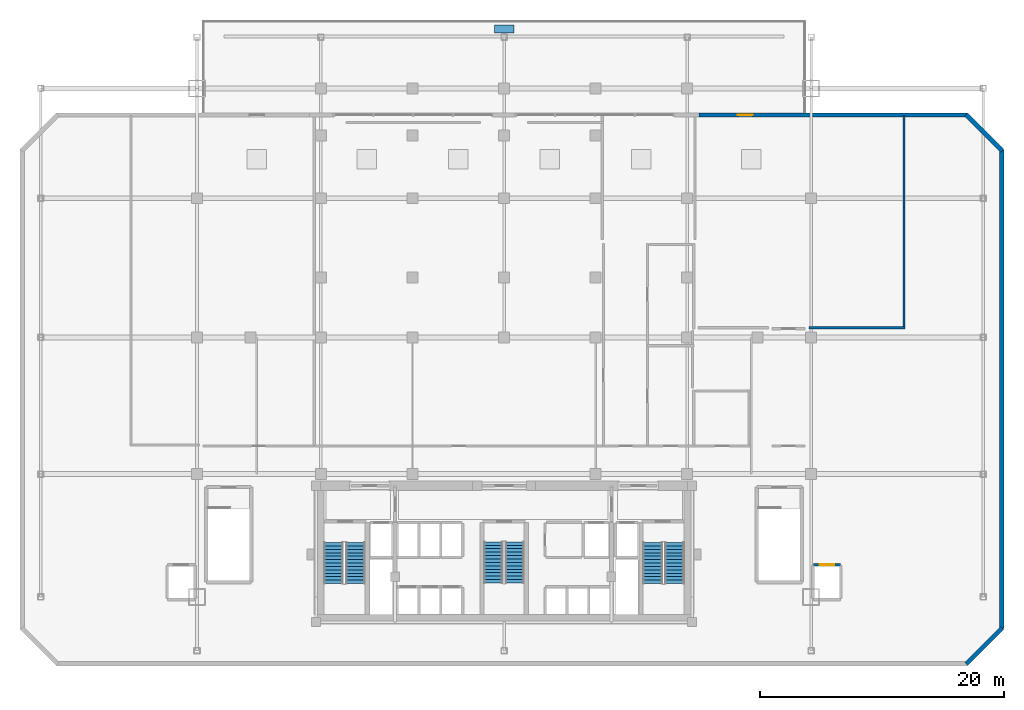
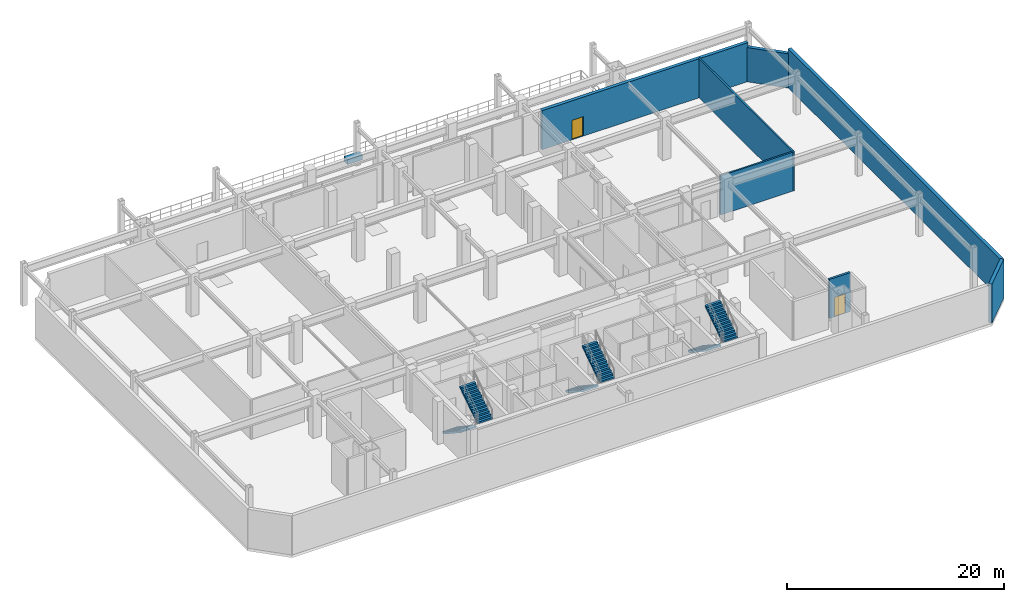
# One storey, part 13 of 15: 7 walls, 6 stair flights, 2 doors, 1 discrete accessory, 2 openings, 3 elements without a shape of their own.
"""IFC4 building model written with IfcOpenShell, lengths in metres."""

from ifc_helpers import new_model, si_unit, direction, frame, frame_2d, origin, origin_2d, place, context, subcontext, project, spatial, polyline, rectangle, outline, extrude, material, layer, layer_set, type_object, element, fill, aggregate, save


model = new_model("IFC4")

# Units and contexts
model_context = context("Model", 3, precision=1e-05, world=origin(), true_north=direction((0.0, 1.0)))
body_context = subcontext(model_context, "Body", "Model", "MODEL_VIEW")
ifc_project = project(units=[si_unit("LENGTHUNIT", "METRE"), si_unit("AREAUNIT", "SQUARE_METRE"), si_unit("VOLUMEUNIT", "CUBIC_METRE"), si_unit("PLANEANGLEUNIT", "RADIAN"), si_unit("MASSUNIT", "GRAM", prefix="KILO")], contexts=[model_context])

# Site, building, storey
site_placement = place(None, origin())
site = spatial("IfcSite", under=ifc_project, at=site_placement, CompositionType="ELEMENT")
building_placement = place(site_placement, origin())
building = spatial("IfcBuilding", under=site, at=building_placement, Name="Ventersveld Concourse Tower", CompositionType="ELEMENT")
storey_placement = place(building_placement, frame((0.0, 0.0, 19.800048828125)))
storey = spatial("IfcBuildingStorey", under=building, at=storey_placement, Name="L04", CompositionType="ELEMENT", Elevation=19.800048828125)

# Walls
ifc_material_1 = material(Name="Fire-rated autoclaved aerated masonry blockwork", Category="masonry")
ifc_layer_1 = layer(ifc_material_1, 0.179931640625)
ifc_layer_set_1 = layer_set([ifc_layer_1], Name="Fire-rated autoclaved aerated masonry blockwork")
wall_type_1 = type_object("IfcWallType", Name="WL-CORR-180", PredefinedType="PARTITIONING", material=ifc_layer_set_1)
wall_1_placement = place(storey_placement, frame((53.7099609375, 24.39990234375, 0.0), z_axis=(0.0, 0.0, 1.0), x_axis=(1.0, 0.0, 0.0)))
element("IfcWall", 1, at=wall_1_placement, inside=storey, type_object=wall_type_1, Name="L04 Room Enclosure Wall SP-L04-CRECHE", PredefinedType="PARTITIONING", context=body_context, shape_type="SweptSolid", body=[
    extrude(rectangle(XDim=7.885009765625, YDim=0.179931640625, at=frame_2d((3.9423828125, 0.0))), origin(), (0.0, 0.0, 1.0), 4.39990234375),
])
wall_2_placement = place(storey_placement, frame((61.5, 24.304931640625, 0.0), z_axis=(0.0, 0.0, 1.0), x_axis=(0.0, 1.0, 0.0)))
element("IfcWall", 2, at=wall_2_placement, inside=storey, type_object=wall_type_1, Name="L04 Room Enclosure Wall SP-L04-CRECHE", PredefinedType="PARTITIONING", context=body_context, shape_type="SweptSolid", body=[
    extrude(rectangle(XDim=17.47998046875, YDim=0.179931640625, at=frame_2d((8.739990234375, 0.0))), origin(), (0.0, 0.0, 1.0), 4.39990234375),
])

# Wall, opening, door
ifc_layer_2 = layer(ifc_material_1, 0.219970703125)
ifc_layer_set_2 = layer_set([ifc_layer_2], Name="Fire-rated autoclaved aerated masonry blockwork")
wall_type_2 = type_object("IfcWallType", Name="WL-HOIST-220", PredefinedType="SOLIDWALL", material=ifc_layer_set_2)
wall_3_placement = place(storey_placement, frame((54.080078125, 4.97998046875, 0.0), z_axis=(0.0, 0.0, 1.0), x_axis=(1.0, 0.0, 0.0)))
wall_3 = element("IfcWall", 3, at=wall_3_placement, inside=storey, type_object=wall_type_2, Name="L04 Lift Hoistway Front Wall SL-02", PredefinedType="SOLIDWALL", context=body_context, shape_type="SweptSolid", body=[
    extrude(rectangle(XDim=2.239990234375, YDim=0.219970703125, at=frame_2d((1.1201171875, 0.0))), origin(), (0.0, 0.0, 1.0), 4.39990234375),
])
opening_1_placement = place(wall_3_placement, frame((0.530029296875, 0.0, 0.0)))
opening_1 = element("IfcOpeningElement", 4, at=opening_1_placement, cuts=wall_3, Name="Opening LD2", PredefinedType="OPENING", context=body_context, shape_type="SweptSolid", body=[
    extrude(rectangle(XDim=1.179931640625, YDim=2.199951171875, at=frame_2d((0.58984375, 1.10009765625))), frame((0.0, 0.1201171875, 0.0), z_axis=(0.0, -1.0, 0.0), x_axis=(1.0, 0.0, 0.0)), (0.0, 0.0, 1.0), 0.239990234375),
])
ifc_material_2 = material(Name="Brushed stainless steel 316", Category="steel")
door_type_1 = type_object("IfcDoorType", Name="LD-PAX-118", OperationType="SLIDING_TO_LEFT", PredefinedType="DOOR", material=ifc_material_2)
door_1_placement = place(opening_1_placement, origin())
door_1 = element("IfcDoor", 5, at=door_1_placement, inside=storey, type_object=door_type_1, Name="L04 Lift landing door SL-02 (LD-L04-SL-02)", OperationType="SLIDING_TO_LEFT", OverallHeight=2.199951171875, OverallWidth=1.179931640625, PredefinedType="DOOR", context=body_context, shape_type="SweptSolid", body=[
    extrude(rectangle(XDim=1.179931640625, YDim=2.199951171875, at=frame_2d((0.58984375, 1.10009765625))), frame((0.0, 0.02490234375, 0.0), z_axis=(0.0, -1.0, 0.0), x_axis=(1.0, 0.0, 0.0)), (0.0, 0.0, 1.0), 0.050048828125),
])
fill(opening_1, door_1)

# Walls
ifc_material_3 = material(Name="Precast concrete C45/55", Category="concrete")
ifc_layer_3 = layer(ifc_material_3, 0.35009765625)
ifc_layer_set_3 = layer_set([ifc_layer_3], Name="Precast concrete C45/55")
wall_type_3 = type_object("IfcWallType", Name="WL-PREC-350", PredefinedType="SOLIDWALL", material=ifc_layer_set_3)
wall_4_placement = place(storey_placement, frame((66.60107421875, -3.144287109375, 0.0), z_axis=(0.0, 0.0, 1.0), x_axis=(0.707106781187, 0.707106781187, 0.0)))
element("IfcWall", 6, at=wall_4_placement, inside=storey, type_object=wall_type_3, Name="L04 Podium Precast Perimeter Wall 02", PredefinedType="SOLIDWALL", context=body_context, shape_type="SweptSolid", body=[
    extrude(rectangle(XDim=4.16259765625, YDim=0.35009765625, at=frame_2d((2.081298828125, 0.0))), origin(), (0.0, 0.0, 1.0), 4.39990234375),
])
wall_5_placement = place(storey_placement, frame((69.52001953125, -0.260009765625, 0.0), z_axis=(0.0, 0.0, 1.0), x_axis=(0.0, 1.0, 0.0)))
element("IfcWall", 7, at=wall_5_placement, inside=storey, type_object=wall_type_3, Name="L04 Podium Precast Perimeter Wall 03", PredefinedType="SOLIDWALL", context=body_context, shape_type="SweptSolid", body=[
    extrude(rectangle(XDim=39.219970703125, YDim=0.35009765625, at=frame_2d((19.60986328125, 0.0))), origin(), (0.0, 0.0, 1.0), 4.39990234375),
])
wall_6_placement = place(storey_placement, frame((69.54443359375, 38.90087890625, 0.0), z_axis=(0.0, 0.0, 1.0), x_axis=(-0.707077455866, 0.70713610529, 0.0)))
element("IfcWall", 8, at=wall_6_placement, inside=storey, type_object=wall_type_3, Name="L04 Podium Precast Perimeter Wall 04", PredefinedType="SOLIDWALL", context=body_context, shape_type="SweptSolid", body=[
    extrude(rectangle(XDim=4.16259765625, YDim=0.35009765625, at=frame_2d((2.081298828125, 0.0))), origin(), (0.0, 0.0, 1.0), 3.866943359375),
])

# Wall, opening, door
wall_7_placement = place(storey_placement, frame((44.699951171875, 41.820068359375, 0.0), z_axis=(0.0, 0.0, 1.0), x_axis=(1.0, 0.0, 0.0)))
wall_7 = element("IfcWall", 9, at=wall_7_placement, inside=storey, type_object=wall_type_3, Name="L04 Amenity North-East Wall", PredefinedType="SOLIDWALL", context=body_context, shape_type="SweptSolid", body=[
    extrude(rectangle(XDim=21.9599609375, YDim=0.35009765625, at=frame_2d((10.97998046875, 0.0))), origin(), (0.0, 0.0, 1.0), 4.39990234375),
])
opening_2_placement = place(wall_7_placement, frame((3.199951171875, 0.0, 0.0)))
opening_2 = element("IfcOpeningElement", 10, at=opening_2_placement, cuts=wall_7, Name="Opening TD1", PredefinedType="OPENING", context=body_context, shape_type="SweptSolid", body=[
    extrude(rectangle(XDim=1.199951171875, YDim=2.199951171875, at=frame_2d((0.60009765625, 1.10009765625))), frame((0.0, 0.18505859375, 0.0), z_axis=(0.0, -1.0, 0.0), x_axis=(1.0, 0.0, 0.0)), (0.0, 0.0, 1.0), 0.3701171875),
])
ifc_material_4 = material(Name="Anodised aluminium EN AW-6063-T6", Category="aluminium")
door_type_2 = type_object("IfcDoorType", Name="DR-TERR-120", OperationType="NOTDEFINED", PredefinedType="DOOR", material=ifc_material_4)
door_2_placement = place(opening_2_placement, origin())
door_2 = element("IfcDoor", 11, at=door_2_placement, inside=storey, type_object=door_type_2, Name="L04 Podium Roof Terrace Door TD-L04-02", OperationType="SINGLE_SWING_RIGHT", OverallHeight=2.199951171875, OverallWidth=1.199951171875, PredefinedType="DOOR", context=body_context, shape_type="SweptSolid", body=[
    extrude(rectangle(XDim=1.199951171875, YDim=2.199951171875, at=frame_2d((0.60009765625, 1.10009765625))), frame((0.0, 0.02490234375, 0.0), z_axis=(0.0, -1.0, 0.0), x_axis=(1.0, 0.0, 0.0)), (0.0, 0.0, 1.0), 0.050048828125),
])
fill(opening_2, door_2)

# Stair, stair flights
ifc_material_5 = material(Name="Concrete C50/60", Category="concrete")
stair_type_1 = type_object("IfcStairType", Name="ST-DOG-155", PredefinedType="HALF_TURN_STAIR", material=ifc_material_5)
stair_1_placement = place(storey_placement, origin())
stair_1 = element("IfcStair", 12, at=stair_1_placement, inside=storey, type_object=stair_type_1, Name="L04 Protected Central Core Escape Stair ST-03", PredefinedType="HALF_TURN_STAIR")
stair_flight_type_1 = type_object("IfcStairFlightType", Name="STF-RC-155", PredefinedType="STRAIGHT", material=ifc_material_5)
stair_flight_1_placement = place(storey_placement, frame((27.875, 6.85009765625, 0.0), z_axis=(0.0, 0.0, 1.0), x_axis=(0.0, -1.0, 0.0)))
stair_flight_1 = element("IfcStairFlight", 13, at=stair_flight_1_placement, type_object=stair_flight_type_1, Name="ST-03 flight 1", NumberOfRisers=13, NumberOfTreads=12, PredefinedType="STRAIGHT", RiserHeight=0.184615385, TreadLength=0.28, context=body_context, shape_type="SweptSolid", body=[
    extrude(outline(polyline([(0.0, 0.0), (0.0, 0.1845703125), (0.280029296875, 0.1845703125), (0.280029296875, 0.369140625), (0.56005859375, 0.369140625), (0.56005859375, 0.553955078125), (0.840087890625, 0.553955078125), (0.840087890625, 0.738525390625), (1.1201171875, 0.738525390625), (1.1201171875, 0.923095703125), (1.39990234375, 0.923095703125), (1.39990234375, 1.107666015625), (1.679931640625, 1.107666015625), (1.679931640625, 1.292236328125), (1.9599609375, 1.292236328125), (1.9599609375, 1.476806640625), (2.239990234375, 1.476806640625), (2.239990234375, 1.66162109375), (2.52001953125, 1.66162109375), (2.52001953125, 1.84619140625), (2.800048828125, 1.84619140625), (2.800048828125, 2.03076171875), (3.080078125, 2.03076171875), (3.080078125, 2.21533203125), (3.360107421875, 2.21533203125), (3.360107421875, 2.39990234375), (3.360107421875, 2.035888671875), (0.272216796875, 0.0), (0.0, 0.0)])), frame((0.0, 0.77490234375, 0.0), z_axis=(0.0, -1.0, 0.0), x_axis=(1.0, 0.0, 0.0)), (0.0, 0.0, 1.0), 1.550048828125),
])
stair_flight_2_placement = place(storey_placement, frame((29.625, 3.489990234375, 2.39990234375), z_axis=(0.0, 0.0, 1.0), x_axis=(0.0, 1.0, 0.0)))
stair_flight_2 = element("IfcStairFlight", 14, at=stair_flight_2_placement, type_object=stair_flight_type_1, Name="ST-03 flight 2", NumberOfRisers=13, NumberOfTreads=12, PredefinedType="STRAIGHT", RiserHeight=0.184615385, TreadLength=0.28, context=body_context, shape_type="SweptSolid", body=[
    extrude(outline(polyline([(0.0, 0.0), (0.0, 0.1845703125), (0.280029296875, 0.1845703125), (0.280029296875, 0.369140625), (0.56005859375, 0.369140625), (0.56005859375, 0.553955078125), (0.840087890625, 0.553955078125), (0.840087890625, 0.738525390625), (1.1201171875, 0.738525390625), (1.1201171875, 0.923095703125), (1.39990234375, 0.923095703125), (1.39990234375, 1.107666015625), (1.679931640625, 1.107666015625), (1.679931640625, 1.292236328125), (1.9599609375, 1.292236328125), (1.9599609375, 1.476806640625), (2.239990234375, 1.476806640625), (2.239990234375, 1.66162109375), (2.52001953125, 1.66162109375), (2.52001953125, 1.84619140625), (2.800048828125, 1.84619140625), (2.800048828125, 2.03076171875), (3.080078125, 2.03076171875), (3.080078125, 2.21533203125), (3.360107421875, 2.21533203125), (3.360107421875, 2.39990234375), (3.360107421875, 2.035888671875), (0.272216796875, 0.0), (0.0, 0.0)])), frame((0.0, 0.77490234375, 0.0), z_axis=(0.0, -1.0, 0.0), x_axis=(1.0, 0.0, 0.0)), (0.0, 0.0, 1.0), 1.550048828125),
])
aggregate(stair_1, [stair_flight_1, stair_flight_2])

stair_type_2 = type_object("IfcStairType", Name="ST-DOG-160", PredefinedType="HALF_TURN_STAIR", material=ifc_material_5)
stair_2_placement = place(storey_placement, origin())
stair_2 = element("IfcStair", 15, at=stair_2_placement, inside=storey, type_object=stair_type_2, Name="L04 Protected Tower Escape Stair ST-01", PredefinedType="HALF_TURN_STAIR")
stair_flight_type_2 = type_object("IfcStairFlightType", Name="STF-RC-160", PredefinedType="STRAIGHT", material=ifc_material_5)
stair_flight_3_placement = place(storey_placement, frame((14.780029296875, 6.800048828125, 0.0), z_axis=(0.0, 0.0, 1.0), x_axis=(0.0, -1.0, 0.0)))
stair_flight_3 = element("IfcStairFlight", 16, at=stair_flight_3_placement, type_object=stair_flight_type_2, Name="ST-01 flight 1", NumberOfRisers=13, NumberOfTreads=12, PredefinedType="STRAIGHT", RiserHeight=0.184615385, TreadLength=0.28, context=body_context, shape_type="SweptSolid", body=[
    extrude(outline(polyline([(0.0, 0.0), (0.0, 0.1845703125), (0.280029296875, 0.1845703125), (0.280029296875, 0.369140625), (0.56005859375, 0.369140625), (0.56005859375, 0.553955078125), (0.840087890625, 0.553955078125), (0.840087890625, 0.738525390625), (1.1201171875, 0.738525390625), (1.1201171875, 0.923095703125), (1.39990234375, 0.923095703125), (1.39990234375, 1.107666015625), (1.679931640625, 1.107666015625), (1.679931640625, 1.292236328125), (1.9599609375, 1.292236328125), (1.9599609375, 1.476806640625), (2.239990234375, 1.476806640625), (2.239990234375, 1.66162109375), (2.52001953125, 1.66162109375), (2.52001953125, 1.84619140625), (2.800048828125, 1.84619140625), (2.800048828125, 2.03076171875), (3.080078125, 2.03076171875), (3.080078125, 2.21533203125), (3.360107421875, 2.21533203125), (3.360107421875, 2.39990234375), (3.360107421875, 2.035888671875), (0.272216796875, 0.0), (0.0, 0.0)])), frame((0.0, 0.800048828125, 0.0), z_axis=(0.0, -1.0, 0.0), x_axis=(1.0, 0.0, 0.0)), (0.0, 0.0, 1.0), 1.60009765625),
])
stair_flight_4_placement = place(storey_placement, frame((16.580078125, 3.43994140625, 2.39990234375), z_axis=(0.0, 0.0, 1.0), x_axis=(0.0, 1.0, 0.0)))
stair_flight_4 = element("IfcStairFlight", 17, at=stair_flight_4_placement, type_object=stair_flight_type_2, Name="ST-01 flight 2", NumberOfRisers=13, NumberOfTreads=12, PredefinedType="STRAIGHT", RiserHeight=0.184615385, TreadLength=0.28, context=body_context, shape_type="SweptSolid", body=[
    extrude(outline(polyline([(0.0, 0.0), (0.0, 0.1845703125), (0.280029296875, 0.1845703125), (0.280029296875, 0.369140625), (0.56005859375, 0.369140625), (0.56005859375, 0.553955078125), (0.840087890625, 0.553955078125), (0.840087890625, 0.738525390625), (1.1201171875, 0.738525390625), (1.1201171875, 0.923095703125), (1.39990234375, 0.923095703125), (1.39990234375, 1.107666015625), (1.679931640625, 1.107666015625), (1.679931640625, 1.292236328125), (1.9599609375, 1.292236328125), (1.9599609375, 1.476806640625), (2.239990234375, 1.476806640625), (2.239990234375, 1.66162109375), (2.52001953125, 1.66162109375), (2.52001953125, 1.84619140625), (2.800048828125, 1.84619140625), (2.800048828125, 2.03076171875), (3.080078125, 2.03076171875), (3.080078125, 2.21533203125), (3.360107421875, 2.21533203125), (3.360107421875, 2.39990234375), (3.360107421875, 2.035888671875), (0.272216796875, 0.0), (0.0, 0.0)])), frame((0.0, 0.800048828125, 0.0), z_axis=(0.0, -1.0, 0.0), x_axis=(1.0, 0.0, 0.0)), (0.0, 0.0, 1.0), 1.60009765625),
])
aggregate(stair_2, [stair_flight_3, stair_flight_4])

stair_3_placement = place(storey_placement, origin())
stair_3 = element("IfcStair", 18, at=stair_3_placement, inside=storey, type_object=stair_type_2, Name="L04 Protected Tower Escape Stair ST-02", PredefinedType="HALF_TURN_STAIR")
stair_flight_5_placement = place(storey_placement, frame((40.919921875, 6.800048828125, 0.0), z_axis=(0.0, 0.0, 1.0), x_axis=(0.0, -1.0, 0.0)))
stair_flight_5 = element("IfcStairFlight", 19, at=stair_flight_5_placement, type_object=stair_flight_type_2, Name="ST-02 flight 1", NumberOfRisers=13, NumberOfTreads=12, PredefinedType="STRAIGHT", RiserHeight=0.184615385, TreadLength=0.28, context=body_context, shape_type="SweptSolid", body=[
    extrude(outline(polyline([(0.0, 0.0), (0.0, 0.1845703125), (0.280029296875, 0.1845703125), (0.280029296875, 0.369140625), (0.56005859375, 0.369140625), (0.56005859375, 0.553955078125), (0.840087890625, 0.553955078125), (0.840087890625, 0.738525390625), (1.1201171875, 0.738525390625), (1.1201171875, 0.923095703125), (1.39990234375, 0.923095703125), (1.39990234375, 1.107666015625), (1.679931640625, 1.107666015625), (1.679931640625, 1.292236328125), (1.9599609375, 1.292236328125), (1.9599609375, 1.476806640625), (2.239990234375, 1.476806640625), (2.239990234375, 1.66162109375), (2.52001953125, 1.66162109375), (2.52001953125, 1.84619140625), (2.800048828125, 1.84619140625), (2.800048828125, 2.03076171875), (3.080078125, 2.03076171875), (3.080078125, 2.21533203125), (3.360107421875, 2.21533203125), (3.360107421875, 2.39990234375), (3.360107421875, 2.035888671875), (0.272216796875, 0.0), (0.0, 0.0)])), frame((0.0, 0.800048828125, 0.0), z_axis=(0.0, -1.0, 0.0), x_axis=(1.0, 0.0, 0.0)), (0.0, 0.0, 1.0), 1.60009765625),
])
stair_flight_6_placement = place(storey_placement, frame((42.719970703125, 3.43994140625, 2.39990234375), z_axis=(0.0, 0.0, 1.0), x_axis=(0.0, 1.0, 0.0)))
stair_flight_6 = element("IfcStairFlight", 20, at=stair_flight_6_placement, type_object=stair_flight_type_2, Name="ST-02 flight 2", NumberOfRisers=13, NumberOfTreads=12, PredefinedType="STRAIGHT", RiserHeight=0.184615385, TreadLength=0.28, context=body_context, shape_type="SweptSolid", body=[
    extrude(outline(polyline([(0.0, 0.0), (0.0, 0.1845703125), (0.280029296875, 0.1845703125), (0.280029296875, 0.369140625), (0.56005859375, 0.369140625), (0.56005859375, 0.553955078125), (0.840087890625, 0.553955078125), (0.840087890625, 0.738525390625), (1.1201171875, 0.738525390625), (1.1201171875, 0.923095703125), (1.39990234375, 0.923095703125), (1.39990234375, 1.107666015625), (1.679931640625, 1.107666015625), (1.679931640625, 1.292236328125), (1.9599609375, 1.292236328125), (1.9599609375, 1.476806640625), (2.239990234375, 1.476806640625), (2.239990234375, 1.66162109375), (2.52001953125, 1.66162109375), (2.52001953125, 1.84619140625), (2.800048828125, 1.84619140625), (2.800048828125, 2.03076171875), (3.080078125, 2.03076171875), (3.080078125, 2.21533203125), (3.360107421875, 2.21533203125), (3.360107421875, 2.39990234375), (3.360107421875, 2.035888671875), (0.272216796875, 0.0), (0.0, 0.0)])), frame((0.0, 0.800048828125, 0.0), z_axis=(0.0, -1.0, 0.0), x_axis=(1.0, 0.0, 0.0)), (0.0, 0.0, 1.0), 1.60009765625),
])
aggregate(stair_3, [stair_flight_5, stair_flight_6])

# Discrete accessory
discrete_accessory_type = type_object("IfcDiscreteAccessoryType", Name="PLN-TERR-180", PredefinedType="USERDEFINED", material=ifc_material_3)
discrete_accessory_placement = place(storey_placement, frame((28.75, 48.8798828125, 0.0), z_axis=(0.0, 0.0, 1.0), x_axis=(1.0, 0.0, 0.0)))
element("IfcDiscreteAccessory", 21, at=discrete_accessory_placement, inside=storey, type_object=discrete_accessory_type, Name="L04 Planted Precast Terrace Planter Box POD-TERR-N", ObjectType="PLANTER", PredefinedType="USERDEFINED", context=body_context, shape_type="SweptSolid", body=[
    extrude(rectangle(XDim=1.60009765625, YDim=0.64990234375, at=origin_2d()), origin(), (0.0, 0.0, 1.0), 0.550048828125),
])

save(model, "model.ifc")
